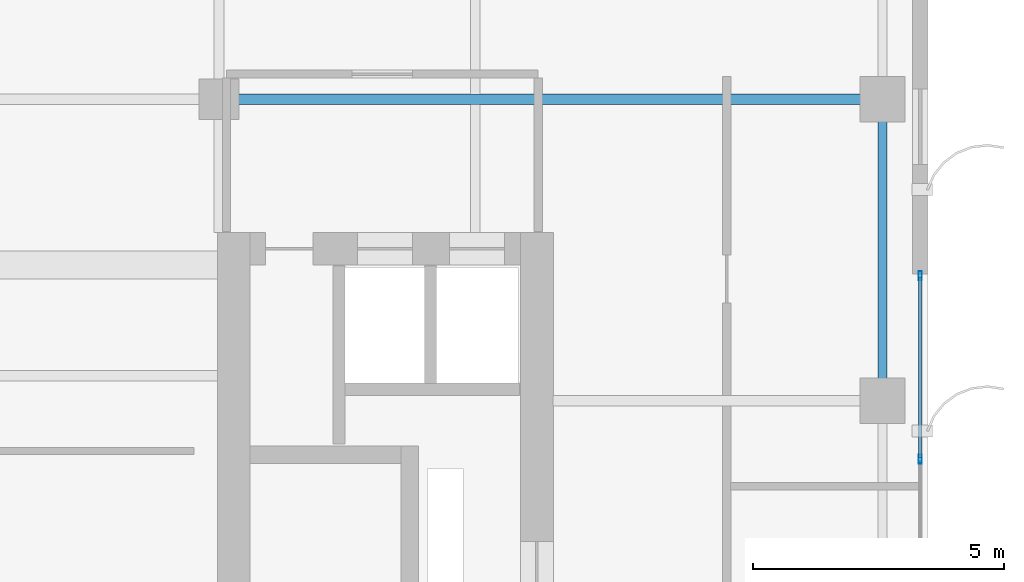
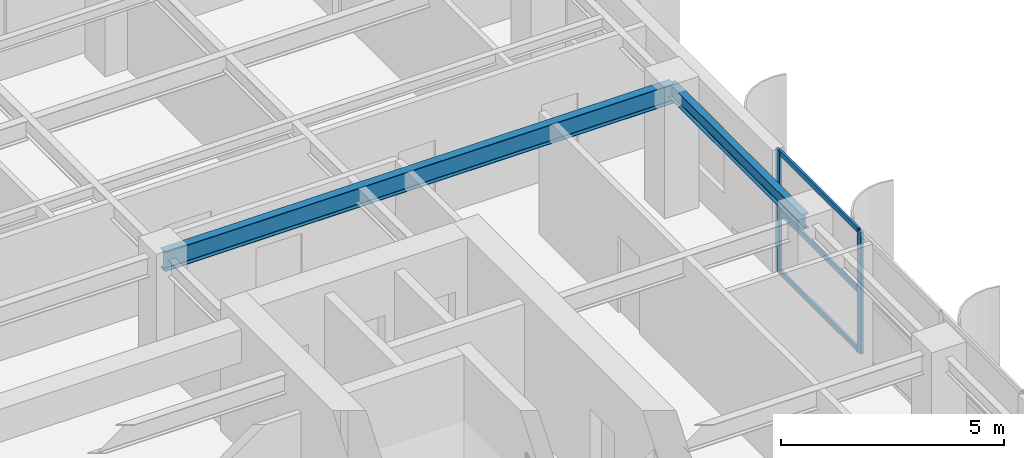
# One storey, part 10 of 21: 5 members, 2 beams, 1 element without a shape of its own.
"""IFC4 building model written with IfcOpenShell, lengths in metres."""

import ifcopenshell
import ifcopenshell.guid

model = None  # the IFC model being written
_history = None  # IfcOwnerHistory: only IFC2X3 demands one
_inside = {}  # id of a spatial element -> (the spatial element, [elements in it])
_under = {}  # id of a project, library or spatial element -> (it, [spatial elements below it])
_declared = {}  # id of a project -> (the project, [libraries it declares])
_typed = {}  # id of a type object -> (the type object, [elements of that type])
_made_of = {}  # id of a material, layer set ... -> (it, [elements and type objects made of it])


def new_model(schema):
    """Start an empty IFC model of exactly this schema.

    Asked for "IFC4X3", IfcOpenShell would pick the latest addendum, in which some entities
    have other attributes; the version numbers below select the first issue.
    IFC2X3 requires an IfcOwnerHistory on every rooted entity: one is made here for all.
    """
    global model, _history
    if schema == "IFC4X3":
        model = ifcopenshell.file(schema_version=(4, 3, 0, 0))
    else:
        model = ifcopenshell.file(schema=schema)
    _inside.clear()
    _under.clear()
    _declared.clear()
    _typed.clear()
    _made_of.clear()
    _history = None
    if model.schema == "IFC2X3":
        org = make("IfcOrganization", Name="unknown")
        user = make(
            "IfcPersonAndOrganization",
            ThePerson=make("IfcPerson", FamilyName="unknown"),
            TheOrganization=org,
        )
        app = make(
            "IfcApplication",
            ApplicationDeveloper=org,
            Version="unknown",
            ApplicationFullName="unknown",
            ApplicationIdentifier="unknown",
        )
        _history = make(
            "IfcOwnerHistory",
            OwningUser=user,
            OwningApplication=app,
            ChangeAction="ADDED",
            CreationDate=0,
        )
    return model


def make(cls, **values):
    """One entity of the class cls with the attributes given. An attribute that is None is left unset."""
    return model.create_entity(
        cls, **{name: value for name, value in values.items() if value is not None}
    )


def rooted(cls, **values):
    """An entity with a GlobalId (a new one), such as an element, a storey or a relation."""
    return make(cls, GlobalId=ifcopenshell.guid.new(), OwnerHistory=_history, **values)


def si_unit(unit_type, name, prefix=None):
    """IfcSIUnit, for example si_unit("LENGTHUNIT", "METRE", prefix="MILLI")."""
    return make("IfcSIUnit", UnitType=unit_type, Prefix=prefix, Name=name)


def assignment(units):
    """IfcUnitAssignment: the units of a project."""
    return None if units is None else make("IfcUnitAssignment", Units=units)


def point(xyz):
    """IfcCartesianPoint."""
    return None if xyz is None else make("IfcCartesianPoint", Coordinates=xyz)


def direction(xyz):
    """IfcDirection."""
    return None if xyz is None else make("IfcDirection", DirectionRatios=xyz)


def frame(location, z_axis=None, x_axis=None):
    """IfcAxis2Placement3D, a coordinate frame: its origin and axes. An axis left out is left unset."""
    return make(
        "IfcAxis2Placement3D",
        Location=point(location),
        Axis=direction(z_axis),
        RefDirection=direction(x_axis),
    )


def frame_2d(location, x_axis=None):
    """IfcAxis2Placement2D, a coordinate frame in the plane: its origin and x axis."""
    return make(
        "IfcAxis2Placement2D", Location=point(location), RefDirection=direction(x_axis)
    )


def origin():
    """The frame at (0, 0, 0) with its axes left unset."""
    return frame((0.0, 0.0, 0.0))


def origin_2d():
    """The frame at (0, 0) in the plane with its x axis left unset."""
    return frame_2d((0.0, 0.0))


def place(relative_to, where):
    """IfcLocalPlacement: puts the frame where relative to a parent placement (None: the world)."""
    return make(
        "IfcLocalPlacement", PlacementRelTo=relative_to, RelativePlacement=where
    )


def context(
    kind, dimensions, precision=None, world=None, true_north=None, identifier=None
):
    """IfcGeometricRepresentationContext, for example the 3D "Model" context."""
    return make(
        "IfcGeometricRepresentationContext",
        ContextIdentifier=identifier,
        ContextType=kind,
        CoordinateSpaceDimension=dimensions,
        Precision=precision,
        WorldCoordinateSystem=world,
        TrueNorth=true_north,
    )


def subcontext(parent, identifier, kind, view, scale=None):
    """IfcGeometricRepresentationSubContext, for example "Body" below "Model"."""
    return make(
        "IfcGeometricRepresentationSubContext",
        ContextIdentifier=identifier,
        ContextType=kind,
        ParentContext=parent,
        TargetScale=scale,
        TargetView=view,
    )


def project(units=None, contexts=None):
    """IfcProject with its units and contexts."""
    return rooted(
        "IfcProject",
        Name="project",
        RepresentationContexts=contexts,
        UnitsInContext=assignment(units),
    )


def spatial(cls, under=None, at=None, **own):
    """A site, building, storey or space (cls), placed at a placement, below another one or the project."""
    s = rooted(cls, ObjectPlacement=at, **own)
    if under is not None:
        _under.setdefault(under.id(), (under, []))[1].append(s)
    return s


def profile(cls, at=None, kind="AREA", **sizes):
    """A parametric profile (cls). Its sizes go by their IFC names, for example OverallWidth=200.0."""
    return make(cls, ProfileType=kind, Position=at, **sizes)


def hollow_rectangle(**sizes):
    """IfcRectangleHollowProfileDef."""
    return profile("IfcRectangleHollowProfileDef", **sizes)


def i_section(**sizes):
    """IfcIShapeProfileDef."""
    return profile("IfcIShapeProfileDef", **sizes)


def extrude(swept, where, along, depth):
    """IfcExtrudedAreaSolid: the profile swept, set in the frame where, extruded along a direction by depth."""
    return make(
        "IfcExtrudedAreaSolid",
        SweptArea=swept,
        Position=where,
        ExtrudedDirection=direction(along),
        Depth=depth,
    )


def shape(context_of_items, identifier, shape_type, items):
    """IfcShapeRepresentation: the items that make up one representation, for example the "Body"."""
    return make(
        "IfcShapeRepresentation",
        ContextOfItems=context_of_items,
        RepresentationIdentifier=identifier,
        RepresentationType=shape_type,
        Items=items,
    )


def source(mapping_origin, context_of_items, identifier, shape_type, items):
    """IfcRepresentationMap: a shape defined once, which mapped items show again and again."""
    return make(
        "IfcRepresentationMap",
        MappingOrigin=mapping_origin,
        MappedRepresentation=shape(context_of_items, identifier, shape_type, items),
    )


def transform(
    local_origin,
    x_axis=None,
    y_axis=None,
    z_axis=None,
    scale=None,
    scale2=None,
    scale3=None,
    uniform=True,
):
    """IfcCartesianTransformationOperator3D, or its non-uniform kind. x_axis, y_axis, z_axis: its Axis1, 2, 3."""
    if uniform:
        return make(
            "IfcCartesianTransformationOperator3D",
            Axis1=direction(x_axis),
            Axis2=direction(y_axis),
            LocalOrigin=point(local_origin),
            Scale=scale,
            Axis3=direction(z_axis),
        )
    return make(
        "IfcCartesianTransformationOperator3DnonUniform",
        Axis1=direction(x_axis),
        Axis2=direction(y_axis),
        LocalOrigin=point(local_origin),
        Scale=scale,
        Axis3=direction(z_axis),
        Scale2=scale2,
        Scale3=scale3,
    )


def mapped(mapping_source, mapping_target):
    """IfcMappedItem: shows the shape of a source again, moved by a transform."""
    return make(
        "IfcMappedItem", MappingSource=mapping_source, MappingTarget=mapping_target
    )


def material(Name=None, Category=None):
    """IfcMaterial."""
    return make("IfcMaterial", Name=Name, Category=Category)


def layer(
    of_material, thickness, ventilated=None, Name=None, Category=None, Priority=None
):
    """IfcMaterialLayer: one layer of a wall or slab, of a material (None: an air gap)."""
    return make(
        "IfcMaterialLayer",
        Material=of_material,
        LayerThickness=thickness,
        IsVentilated=ventilated,
        Name=Name,
        Category=Category,
        Priority=Priority,
    )


def layer_set(layers, Name=None):
    """IfcMaterialLayerSet."""
    return make("IfcMaterialLayerSet", MaterialLayers=layers, LayerSetName=Name)


def material_profile(
    of_material, cross_section, Name=None, Category=None, Priority=None
):
    """IfcMaterialProfile: a cross section and its material."""
    return make(
        "IfcMaterialProfile",
        Name=Name,
        Material=of_material,
        Profile=cross_section,
        Priority=Priority,
        Category=Category,
    )


def profile_set(profiles, Name=None, composite=None):
    """IfcMaterialProfileSet."""
    return make(
        "IfcMaterialProfileSet",
        Name=Name,
        MaterialProfiles=profiles,
        CompositeProfile=composite,
    )


def made_of(thing, what):
    """Note that an element or type object is made of a material, layer set ...; save() writes the relation."""
    if what is not None:
        _made_of.setdefault(what.id(), (what, []))[1].append(thing)
    return thing


def type_object(cls, material=None, **own):
    """A type object (cls), such as IfcWallType, which elements share."""
    return made_of(rooted(cls, **own), material)


def element(
    cls,
    number,
    at=None,
    inside=None,
    cuts=None,
    type_object=None,
    material=None,
    context=None,
    identifier="Body",
    shape_type=None,
    held_by="IfcProductDefinitionShape",
    body=None,
    shapes=None,
    **own,
):
    """One element of the class cls, such as IfcWall. Its Tag is "e" and its number.

    at: its placement. inside: the storey or other place that contains it. cuts: it is an
    opening in that element (IfcRelVoidsElement). A single representation is given by context,
    identifier, shape_type and body (its items); several are given by shapes. held_by: the class
    of the entity that holds the representations. save() writes the other relations.
    """
    e = rooted(cls, Tag="e%d" % number, ObjectPlacement=at, **own)
    if body is not None:
        shapes = [shape(context, identifier, shape_type, body)]
    if shapes is not None:
        e.Representation = make(held_by, Representations=shapes)
    if inside is not None:
        _inside.setdefault(inside.id(), (inside, []))[1].append(e)
    if cuts is not None:
        rooted(
            "IfcRelVoidsElement", RelatingBuildingElement=cuts, RelatedOpeningElement=e
        )
    if type_object is not None:
        _typed.setdefault(type_object.id(), (type_object, []))[1].append(e)
    return made_of(e, material)


def aggregate(whole, parts):
    """IfcRelAggregates: a whole, such as a stair, and the parts it consists of."""
    return rooted("IfcRelAggregates", RelatingObject=whole, RelatedObjects=parts)


def save(model, path):
    """Write the relations noted so far, then the file.

    IfcRelAggregates (storeys below a building ...), IfcRelContainedInSpatialStructure (elements
    in a storey), IfcRelDefinesByType, IfcRelAssociatesMaterial and IfcRelDeclares: one each for
    every whole, place, type object, material and project.
    """
    for whole, parts in _under.values():
        aggregate(whole, parts)
    for where, things in _inside.values():
        rooted(
            "IfcRelContainedInSpatialStructure",
            RelatedElements=things,
            RelatingStructure=where,
        )
    for kind, things in _typed.values():
        rooted("IfcRelDefinesByType", RelatedObjects=things, RelatingType=kind)
    for what, things in _made_of.values():
        rooted("IfcRelAssociatesMaterial", RelatedObjects=things, RelatingMaterial=what)
    for by, libraries in _declared.values():
        rooted("IfcRelDeclares", RelatingContext=by, RelatedDefinitions=libraries)
    model.write(path)


model = new_model("IFC4")

# Units and contexts
model_context = context("Model", 3, precision=1e-05, world=origin(), true_north=direction((0.0, 1.0)))
body_context = subcontext(model_context, "Body", "Model", "MODEL_VIEW")
ifc_project = project(units=[si_unit("LENGTHUNIT", "METRE"), si_unit("AREAUNIT", "SQUARE_METRE"), si_unit("VOLUMEUNIT", "CUBIC_METRE"), si_unit("PLANEANGLEUNIT", "RADIAN"), si_unit("MASSUNIT", "GRAM", prefix="KILO")], contexts=[model_context])

# Site, building, storey
site_placement = place(None, origin())
site = spatial("IfcSite", under=ifc_project, at=site_placement, CompositionType="ELEMENT")
building_placement = place(site_placement, origin())
building = spatial("IfcBuilding", under=site, at=building_placement, Name="Khoralis Quay Care Tower", CompositionType="ELEMENT")
storey_placement = place(building_placement, frame((0.0, 0.0, 159.300048828125)))
storey = spatial("IfcBuildingStorey", under=building, at=storey_placement, Name="L41", CompositionType="ELEMENT", Elevation=159.300048828125)

# Beams
ifc_material_1 = material(Name="Steel S355", Category="steel")
ifc_material_profile_1 = material_profile(ifc_material_1, i_section(OverallWidth=0.179931640625, OverallDepth=0.39990234375, WebThickness=0.008544921875, FlangeThickness=0.013427734375, FilletRadius=0.02099609375, at=origin_2d()), Name="Steel S355")
ifc_profile_set_1 = profile_set([ifc_material_profile_1], Name="Steel S355")
beam_type_1 = type_object("IfcBeamType", Name="BM-IPE400", PredefinedType="SPANDREL", material=ifc_profile_set_1)
shared_shape_1 = source(origin(), body_context, "Body", "SweptSolid", [
    extrude(i_section(OverallWidth=0.179931640625, OverallDepth=0.39990234375, WebThickness=0.008544921875, FlangeThickness=0.013427734375, FilletRadius=0.02099609375, at=origin_2d()), origin(), (0.0, 0.0, 1.0), 6.0),
])
beam_1_placement = place(storey_placement, frame((44.10009765625, 24.0, 3.139892578125), z_axis=(0.0, 1.0, 0.0), x_axis=(-1.0, 0.0, 0.0)))
element("IfcBeam", 1, at=beam_1_placement, inside=storey, type_object=beam_type_1, Name="BM-TSP-L41-17", PredefinedType="SPANDREL", context=body_context, shape_type="MappedRepresentation", body=[
    mapped(shared_shape_1, transform((0.0, 0.0, 0.0), scale=1.0)),
])
ifc_material_profile_2 = material_profile(ifc_material_1, i_section(OverallWidth=0.208984375, OverallDepth=0.532958984375, WebThickness=0.01025390625, FlangeThickness=0.015625, FilletRadius=0.01611328125, at=origin_2d()), Name="Steel S355")
ifc_profile_set_2 = profile_set([ifc_material_profile_2], Name="Steel S355")
beam_type_2 = type_object("IfcBeamType", Name="BM-W530X92", PredefinedType="BEAM", material=ifc_profile_set_2)
shared_shape_2 = source(origin(), body_context, "Body", "SweptSolid", [
    extrude(i_section(OverallWidth=0.208984375, OverallDepth=0.532958984375, WebThickness=0.01025390625, FlangeThickness=0.015625, FilletRadius=0.01611328125, at=origin_2d()), origin(), (0.0, 0.0, 1.0), 13.2001953125),
])
beam_2_placement = place(storey_placement, frame((30.89990234375, 30.0, 3.073486328125), z_axis=(1.0, 0.0, 0.0), x_axis=(0.0, 1.0, 0.0)))
element("IfcBeam", 2, at=beam_2_placement, inside=storey, type_object=beam_type_2, Name="BM-TGXE-L41-300", PredefinedType="BEAM", context=body_context, shape_type="MappedRepresentation", body=[
    mapped(shared_shape_2, transform((0.0, 0.0, 0.0), scale=1.0)),
])

# Curtain wall, members
ifc_material_2 = material(Name="Pale anodised aluminium", Category="aluminium")
ifc_layer = layer(ifc_material_2, 0.159912109375)
ifc_layer_set = layer_set([ifc_layer], Name="Pale anodised aluminium")
curtain_wall_type = type_object("IfcCurtainWallType", Name="CW-SYS-Z3", PredefinedType="NOTDEFINED", material=ifc_layer_set)
curtain_wall_placement = place(storey_placement, origin())
curtain_wall = element("IfcCurtainWall", 3, at=curtain_wall_placement, inside=storey, type_object=curtain_wall_type, Name="L41 Unitised Curtain Wall CW-L41-P1-E5", PredefinedType="NOTDEFINED")
ifc_material_profile_3 = material_profile(ifc_material_2, hollow_rectangle(XDim=0.06494140625, YDim=0.179931640625, WallThickness=0.00390625, at=origin_2d()), Name="Pale anodised aluminium")
ifc_profile_set_3 = profile_set([ifc_material_profile_3], Name="Pale anodised aluminium")
member_type_1 = type_object("IfcMemberType", Name="CW-MUL-180", PredefinedType="MULLION", material=ifc_profile_set_3)
shared_shape_3 = source(origin(), body_context, "Body", "SweptSolid", [
    extrude(hollow_rectangle(XDim=0.06494140625, YDim=0.179931640625, WallThickness=0.00390625, at=origin_2d()), origin(), (0.0, 0.0, 1.0), 3.33984375),
])
member_1_placement = place(storey_placement, frame((44.85009765625, 22.840087890625, 0.0), z_axis=(0.0, 0.0, 1.0), x_axis=(-1.0, 0.0, 0.0)))
member_1 = element("IfcMember", 4, at=member_1_placement, type_object=member_type_1, Name="CW3 mullion 3", PredefinedType="MULLION", context=body_context, shape_type="MappedRepresentation", body=[
    mapped(shared_shape_3, transform((0.0, 0.0, 0.0), scale=1.0)),
])
member_2_placement = place(storey_placement, frame((44.85009765625, 26.489990234375, 0.0), z_axis=(0.0, 0.0, 1.0), x_axis=(-1.0, 0.0, 0.0)))
member_2 = element("IfcMember", 5, at=member_2_placement, type_object=member_type_1, Name="CW3 mullion 4", PredefinedType="MULLION", context=body_context, shape_type="MappedRepresentation", body=[
    mapped(shared_shape_3, transform((0.0, 0.0, 0.0), scale=1.0)),
])
ifc_material_profile_4 = material_profile(ifc_material_2, hollow_rectangle(XDim=0.06005859375, YDim=0.139892578125, WallThickness=0.00390625, at=origin_2d()), Name="Pale anodised aluminium")
ifc_profile_set_4 = profile_set([ifc_material_profile_4], Name="Pale anodised aluminium")
member_type_2 = type_object("IfcMemberType", Name="CW-TRN-140", PredefinedType="USERDEFINED", material=ifc_profile_set_4)
shared_shape_4 = source(origin(), body_context, "Body", "SweptSolid", [
    extrude(hollow_rectangle(XDim=0.06005859375, YDim=0.139892578125, WallThickness=0.00390625, at=origin_2d()), origin(), (0.0, 0.0, 1.0), 3.58984375),
])
member_3_placement = place(storey_placement, frame((44.85009765625, 22.8701171875, 0.030029296875), z_axis=(0.0, 1.0, 0.0), x_axis=(-1.0, 0.0, 0.0)))
member_3 = element("IfcMember", 6, at=member_3_placement, type_object=member_type_2, Name="CW3 transom 3.1", ObjectType="TRANSOM", PredefinedType="USERDEFINED", context=body_context, shape_type="MappedRepresentation", body=[
    mapped(shared_shape_4, transform((0.0, 0.0, 0.0), scale=1.0)),
])
member_4_placement = place(storey_placement, frame((44.85009765625, 22.8701171875, 1.669921875), z_axis=(0.0, 1.0, 0.0), x_axis=(-1.0, 0.0, 0.0)))
member_4 = element("IfcMember", 7, at=member_4_placement, type_object=member_type_2, Name="CW3 transom 3.2", ObjectType="TRANSOM", PredefinedType="USERDEFINED", context=body_context, shape_type="MappedRepresentation", body=[
    mapped(shared_shape_4, transform((0.0, 0.0, 0.0), scale=1.0)),
])
member_5_placement = place(storey_placement, frame((44.85009765625, 22.8701171875, 3.31005859375), z_axis=(0.0, 1.0, 0.0), x_axis=(-1.0, 0.0, 0.0)))
member_5 = element("IfcMember", 8, at=member_5_placement, type_object=member_type_2, Name="CW3 transom 3.3", ObjectType="TRANSOM", PredefinedType="USERDEFINED", context=body_context, shape_type="MappedRepresentation", body=[
    mapped(shared_shape_4, transform((0.0, 0.0, 0.0), scale=1.0)),
])
aggregate(curtain_wall, [member_1, member_2, member_3, member_4, member_5])

save(model, "model.ifc")
